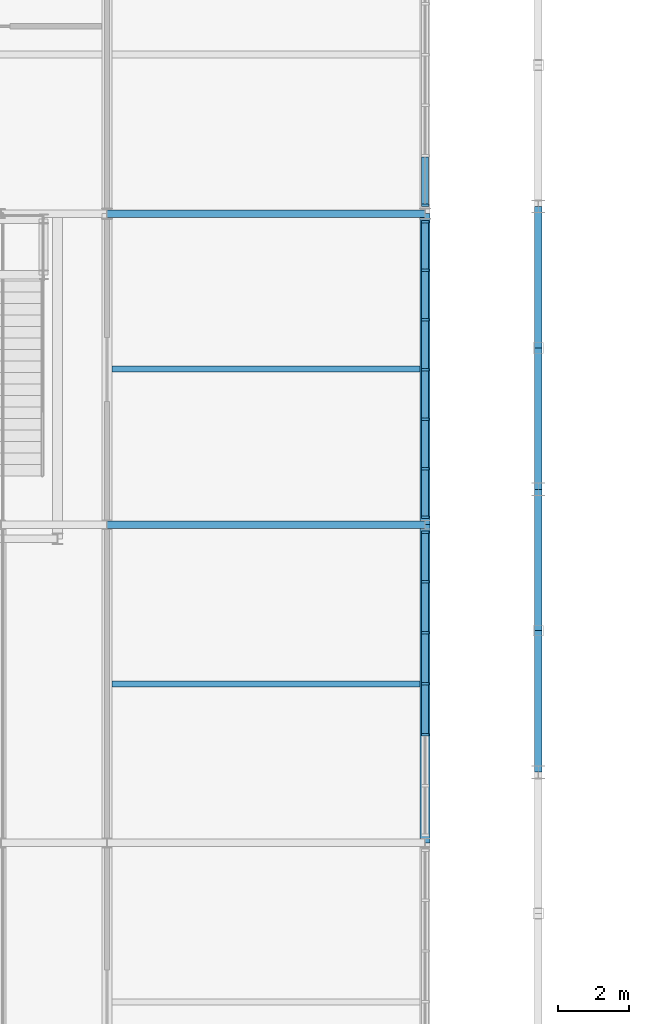
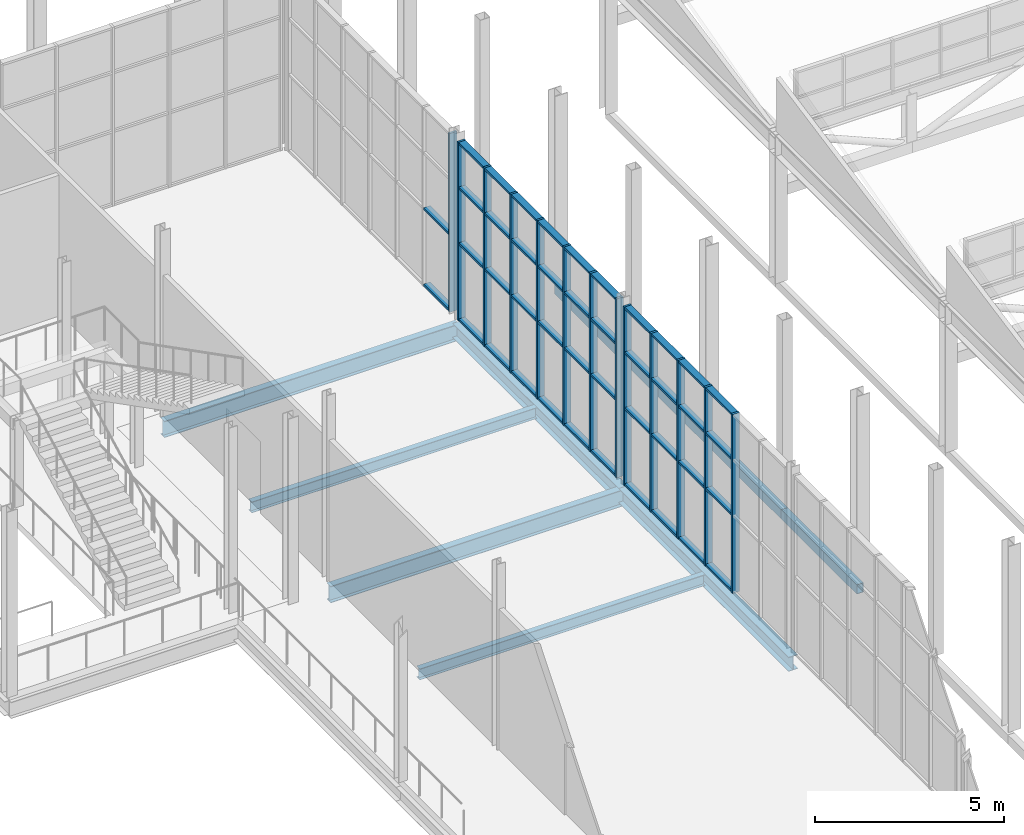
# One storey, part 81 of 159: 55 members, 10 beams, 3 elements without a shape of their own.
"""IFC4 building model written with IfcOpenShell, lengths in metres."""

from ifc_helpers import new_model, si_unit, direction, frame, origin, origin_2d, place, context, subcontext, project, spatial, rectangle, hollow_rectangle, i_section, extrude, material, layer, layer_set, material_profile, profile_set, type_object, element, aggregate, save


model = new_model("IFC4")

# Units and contexts
model_context = context("Model", 3, precision=1e-05, world=origin(), true_north=direction((0.0, 1.0)))
body_context = subcontext(model_context, "Body", "Model", "MODEL_VIEW")
ifc_project = project(units=[si_unit("LENGTHUNIT", "METRE"), si_unit("AREAUNIT", "SQUARE_METRE"), si_unit("VOLUMEUNIT", "CUBIC_METRE"), si_unit("PLANEANGLEUNIT", "RADIAN"), si_unit("MASSUNIT", "GRAM", prefix="KILO")], contexts=[model_context])

# Site, building, storey
site_placement = place(None, origin())
site = spatial("IfcSite", under=ifc_project, at=site_placement, CompositionType="ELEMENT")
building_placement = place(site_placement, origin())
building = spatial("IfcBuilding", under=site, at=building_placement, Name="Cazmaro Siding Exhibition Halls", CompositionType="ELEMENT")
storey_placement = place(building_placement, frame((0.0, 0.0, 6.0)))
storey = spatial("IfcBuildingStorey", under=building, at=storey_placement, Name="L01", CompositionType="ELEMENT", Elevation=6.0)

# Beams
ifc_material_1 = material(Name="Steel ASTM A992 Grade 50", Category="steel")
ifc_material_profile_1 = material_profile(ifc_material_1, i_section(OverallWidth=0.2099609375, OverallDepth=0.535888671875, WebThickness=0.010986328125, FlangeThickness=0.01708984375, at=origin_2d()), Name="W21X68")
ifc_profile_set_1 = profile_set([ifc_material_profile_1], Name="Steel ASTM A992 Grade 50")
beam_type_1 = type_object("IfcBeamType", Name="B-02", PredefinedType="BEAM", material=ifc_profile_set_1)
for number, where, z_axis, x_axis, name in (
    (1, (158.800048828125, 111.800048828125, -0.488037109375), (1.0, 0.0, 0.0), (0.0, 1.0, 0.0), "Beam B-02 BM-0297"),
    (2, (158.800048828125, 103.0, -0.488037109375), (1.0, 0.0, 0.0), (0.0, 1.0, 0.0), "Beam B-02 BM-0385"),
):
    element("IfcBeam", number, at=place(storey_placement, frame(where, z_axis=z_axis, x_axis=x_axis)), inside=storey, type_object=beam_type_1, Name=name, PredefinedType="BEAM", context=body_context, shape_type="SweptSolid", body=[
        extrude(i_section(OverallWidth=0.2099609375, OverallDepth=0.535888671875, WebThickness=0.010986328125, FlangeThickness=0.01708984375, at=origin_2d()), origin(), (0.0, 0.0, 1.0), 9.0),
    ])
ifc_material_2 = material(Name="Steel ASTM A992 Grade 50", Category="steel")
ifc_material_profile_2 = material_profile(ifc_material_2, i_section(OverallWidth=0.279052734375, OverallDepth=0.4619140625, WebThickness=0.010986328125, FlangeThickness=0.01708984375, at=origin_2d()), Name="W18X76")
ifc_profile_set_2 = profile_set([ifc_material_profile_2], Name="Steel ASTM A992 Grade 50")
beam_type_2 = type_object("IfcBeamType", Name="B-03", PredefinedType="BEAM", material=ifc_profile_set_2)
beam_1_placement = place(storey_placement, frame((167.800048828125, 94.0, -0.450927734375), z_axis=(0.0, 1.0, 0.0), x_axis=(-1.0, 0.0, 0.0)))
element("IfcBeam", 3, at=beam_1_placement, inside=storey, type_object=beam_type_2, Name="Beam B-03 BM-0390", PredefinedType="BEAM", context=body_context, shape_type="SweptSolid", body=[
    extrude(i_section(OverallWidth=0.279052734375, OverallDepth=0.4619140625, WebThickness=0.010986328125, FlangeThickness=0.01708984375, at=origin_2d()), origin(), (0.0, 0.0, 1.0), 9.0),
])
beam_2_placement = place(storey_placement, frame((167.800048828125, 103.0, -0.450927734375), z_axis=(0.0, 1.0, 0.0), x_axis=(-1.0, 0.0, 0.0)))
element("IfcBeam", 4, at=beam_2_placement, inside=storey, type_object=beam_type_2, Name="Beam B-03 BM-0392", PredefinedType="BEAM", context=body_context, shape_type="SweptSolid", body=[
    extrude(i_section(OverallWidth=0.279052734375, OverallDepth=0.4619140625, WebThickness=0.010986328125, FlangeThickness=0.01708984375, at=origin_2d()), origin(), (0.0, 0.0, 1.0), 8.800048828125),
])

# Curtain wall, members
ifc_material_3 = material(Name="Anodized Bronze Aluminum and Solar-Control Low-E Glazing", Category="aluminium")
ifc_layer = layer(ifc_material_3, 0.219970703125)
ifc_layer_set = layer_set([ifc_layer], Name="Anodized Bronze Aluminum and Solar-Control Low-E Glazing")
curtain_wall_type = type_object("IfcCurtainWallType", Name="CWS-03", PredefinedType="USERDEFINED", material=ifc_layer_set)
curtain_wall_1_placement = place(storey_placement, origin())
curtain_wall_1 = element("IfcCurtainWall", 5, at=curtain_wall_1_placement, inside=storey, type_object=curtain_wall_type, Name="Glazed Curtain Wall CWS-03 CW-072", ObjectType="GLAZED CURTAIN WALL", PredefinedType="USERDEFINED")
ifc_material_4 = material(Name="Anodized Bronze Extruded Aluminum", Category="aluminium")
ifc_material_profile_3 = material_profile(ifc_material_4, rectangle(XDim=0.219970703125, YDim=0.070068359375, at=origin_2d()), Name="CWM-03")
ifc_profile_set_3 = profile_set([ifc_material_profile_3], Name="Anodized Bronze Extruded Aluminum")
member_type_1 = type_object("IfcMemberType", Name="CWM-03", PredefinedType="MULLION", material=ifc_profile_set_3)
member_1_placement = place(storey_placement, frame((167.800048828125, 97.05908203125, 0.0), z_axis=(0.0, 0.0, 1.0), x_axis=(-1.0, 0.0, 0.0)))
member_1 = element("IfcMember", 6, at=member_1_placement, type_object=member_type_1, Name="CWS-03 mullion 3", PredefinedType="MULLION", context=body_context, shape_type="SweptSolid", body=[
    extrude(rectangle(XDim=0.219970703125, YDim=0.070068359375, at=origin_2d()), origin(), (0.0, 0.0, 1.0), 5.780029296875),
])
member_2_placement = place(storey_placement, frame((167.800048828125, 98.5, 0.0), z_axis=(0.0, 0.0, 1.0), x_axis=(-1.0, 0.0, 0.0)))
member_2 = element("IfcMember", 7, at=member_2_placement, type_object=member_type_1, Name="CWS-03 mullion 4", PredefinedType="MULLION", context=body_context, shape_type="SweptSolid", body=[
    extrude(rectangle(XDim=0.219970703125, YDim=0.070068359375, at=origin_2d()), origin(), (0.0, 0.0, 1.0), 5.780029296875),
])
member_3_placement = place(storey_placement, frame((167.800048828125, 99.94091796875, 0.0), z_axis=(0.0, 0.0, 1.0), x_axis=(-1.0, 0.0, 0.0)))
member_3 = element("IfcMember", 8, at=member_3_placement, type_object=member_type_1, Name="CWS-03 mullion 5", PredefinedType="MULLION", context=body_context, shape_type="SweptSolid", body=[
    extrude(rectangle(XDim=0.219970703125, YDim=0.070068359375, at=origin_2d()), origin(), (0.0, 0.0, 1.0), 5.780029296875),
])
member_4_placement = place(storey_placement, frame((167.800048828125, 101.382080078125, 0.0), z_axis=(0.0, 0.0, 1.0), x_axis=(-1.0, 0.0, 0.0)))
member_4 = element("IfcMember", 9, at=member_4_placement, type_object=member_type_1, Name="CWS-03 mullion 6", PredefinedType="MULLION", context=body_context, shape_type="SweptSolid", body=[
    extrude(rectangle(XDim=0.219970703125, YDim=0.070068359375, at=origin_2d()), origin(), (0.0, 0.0, 1.0), 5.780029296875),
])
member_5_placement = place(storey_placement, frame((167.800048828125, 102.7880859375, 0.0), z_axis=(0.0, 0.0, 1.0), x_axis=(-1.0, 0.0, 0.0)))
member_5 = element("IfcMember", 10, at=member_5_placement, type_object=member_type_1, Name="CWS-03 mullion 7", PredefinedType="MULLION", context=body_context, shape_type="SweptSolid", body=[
    extrude(rectangle(XDim=0.219970703125, YDim=0.070068359375, at=origin_2d()), origin(), (0.0, 0.0, 1.0), 5.780029296875),
])

curtain_wall_2_placement = place(storey_placement, origin())
curtain_wall_2 = element("IfcCurtainWall", 11, at=curtain_wall_2_placement, inside=storey, type_object=curtain_wall_type, Name="Glazed Curtain Wall CWS-03 CW-075", ObjectType="GLAZED CURTAIN WALL", PredefinedType="USERDEFINED")
member_6_placement = place(storey_placement, frame((167.800048828125, 103.2119140625, 0.0), z_axis=(0.0, 0.0, 1.0), x_axis=(-1.0, 0.0, 0.0)))
member_6 = element("IfcMember", 12, at=member_6_placement, type_object=member_type_1, Name="CWS-03 mullion 1", PredefinedType="MULLION", context=body_context, shape_type="SweptSolid", body=[
    extrude(rectangle(XDim=0.219970703125, YDim=0.070068359375, at=origin_2d()), origin(), (0.0, 0.0, 1.0), 5.780029296875),
])
member_7_placement = place(storey_placement, frame((167.800048828125, 104.5810546875, 0.0), z_axis=(0.0, 0.0, 1.0), x_axis=(-1.0, 0.0, 0.0)))
member_7 = element("IfcMember", 13, at=member_7_placement, type_object=member_type_1, Name="CWS-03 mullion 2", PredefinedType="MULLION", context=body_context, shape_type="SweptSolid", body=[
    extrude(rectangle(XDim=0.219970703125, YDim=0.070068359375, at=origin_2d()), origin(), (0.0, 0.0, 1.0), 5.780029296875),
])
member_8_placement = place(storey_placement, frame((167.800048828125, 105.9853515625, 0.0), z_axis=(0.0, 0.0, 1.0), x_axis=(-1.0, 0.0, 0.0)))
member_8 = element("IfcMember", 14, at=member_8_placement, type_object=member_type_1, Name="CWS-03 mullion 3", PredefinedType="MULLION", context=body_context, shape_type="SweptSolid", body=[
    extrude(rectangle(XDim=0.219970703125, YDim=0.070068359375, at=origin_2d()), origin(), (0.0, 0.0, 1.0), 5.780029296875),
])
member_9_placement = place(storey_placement, frame((167.800048828125, 107.389404296875, 0.0), z_axis=(0.0, 0.0, 1.0), x_axis=(-1.0, 0.0, 0.0)))
member_9 = element("IfcMember", 15, at=member_9_placement, type_object=member_type_1, Name="CWS-03 mullion 4", PredefinedType="MULLION", context=body_context, shape_type="SweptSolid", body=[
    extrude(rectangle(XDim=0.219970703125, YDim=0.070068359375, at=origin_2d()), origin(), (0.0, 0.0, 1.0), 5.780029296875),
])
member_10_placement = place(storey_placement, frame((167.800048828125, 108.793701171875, 0.0), z_axis=(0.0, 0.0, 1.0), x_axis=(-1.0, 0.0, 0.0)))
member_10 = element("IfcMember", 16, at=member_10_placement, type_object=member_type_1, Name="CWS-03 mullion 5", PredefinedType="MULLION", context=body_context, shape_type="SweptSolid", body=[
    extrude(rectangle(XDim=0.219970703125, YDim=0.070068359375, at=origin_2d()), origin(), (0.0, 0.0, 1.0), 5.780029296875),
])
member_11_placement = place(storey_placement, frame((167.800048828125, 110.19775390625, 0.0), z_axis=(0.0, 0.0, 1.0), x_axis=(-1.0, 0.0, 0.0)))
member_11 = element("IfcMember", 17, at=member_11_placement, type_object=member_type_1, Name="CWS-03 mullion 6", PredefinedType="MULLION", context=body_context, shape_type="SweptSolid", body=[
    extrude(rectangle(XDim=0.219970703125, YDim=0.070068359375, at=origin_2d()), origin(), (0.0, 0.0, 1.0), 5.780029296875),
])
member_12_placement = place(storey_placement, frame((167.800048828125, 111.56689453125, 0.0), z_axis=(0.0, 0.0, 1.0), x_axis=(-1.0, 0.0, 0.0)))
member_12 = element("IfcMember", 18, at=member_12_placement, type_object=member_type_1, Name="CWS-03 mullion 7", PredefinedType="MULLION", context=body_context, shape_type="SweptSolid", body=[
    extrude(rectangle(XDim=0.219970703125, YDim=0.070068359375, at=origin_2d()), origin(), (0.0, 0.0, 1.0), 5.780029296875),
])

# Curtain wall, member
curtain_wall_3_placement = place(storey_placement, origin())
curtain_wall_3 = element("IfcCurtainWall", 19, at=curtain_wall_3_placement, inside=storey, type_object=curtain_wall_type, Name="Glazed Curtain Wall CWS-03 CW-078", ObjectType="GLAZED CURTAIN WALL", PredefinedType="USERDEFINED")
member_13_placement = place(storey_placement, frame((167.800048828125, 112.032958984375, 0.0), z_axis=(0.0, 0.0, 1.0), x_axis=(-1.0, 0.0, 0.0)))
member_13 = element("IfcMember", 20, at=member_13_placement, type_object=member_type_1, Name="CWS-03 mullion 1", PredefinedType="MULLION", context=body_context, shape_type="SweptSolid", body=[
    extrude(rectangle(XDim=0.219970703125, YDim=0.070068359375, at=origin_2d()), origin(), (0.0, 0.0, 1.0), 5.780029296875),
])

# Member
ifc_material_5 = material(Name="Anodized Bronze Extruded Aluminum", Category="aluminium")
ifc_material_profile_4 = material_profile(ifc_material_5, rectangle(XDim=0.199951171875, YDim=0.070068359375, at=origin_2d()), Name="CWT-03")
ifc_profile_set_4 = profile_set([ifc_material_profile_4], Name="Anodized Bronze Extruded Aluminum")
member_type_2 = type_object("IfcMemberType", Name="CWT-03", PredefinedType="MULLION", material=ifc_profile_set_4)
member_14_placement = place(storey_placement, frame((167.800048828125, 97.093994140625, 0.034912109375), z_axis=(0.0, 1.0, 0.0), x_axis=(-1.0, 0.0, 0.0)))
member_14 = element("IfcMember", 21, at=member_14_placement, type_object=member_type_2, Name="CWS-03 transom 3.1", ObjectType="TRANSOM", PredefinedType="USERDEFINED", context=body_context, shape_type="SweptSolid", body=[
    extrude(rectangle(XDim=0.199951171875, YDim=0.070068359375, at=origin_2d()), origin(), (0.0, 0.0, 1.0), 1.37109375),
])

member_15_placement = place(storey_placement, frame((167.800048828125, 97.093994140625, 2.5), z_axis=(0.0, 1.0, 0.0), x_axis=(-1.0, 0.0, 0.0)))
member_15 = element("IfcMember", 22, at=member_15_placement, type_object=member_type_2, Name="CWS-03 transom 3.2", ObjectType="TRANSOM", PredefinedType="USERDEFINED", context=body_context, shape_type="SweptSolid", body=[
    extrude(rectangle(XDim=0.199951171875, YDim=0.070068359375, at=origin_2d()), origin(), (0.0, 0.0, 1.0), 1.37109375),
])

member_16_placement = place(storey_placement, frame((167.800048828125, 97.093994140625, 4.300048828125), z_axis=(0.0, 1.0, 0.0), x_axis=(-1.0, 0.0, 0.0)))
member_16 = element("IfcMember", 23, at=member_16_placement, type_object=member_type_2, Name="CWS-03 transom 3.3", ObjectType="TRANSOM", PredefinedType="USERDEFINED", context=body_context, shape_type="SweptSolid", body=[
    extrude(rectangle(XDim=0.199951171875, YDim=0.070068359375, at=origin_2d()), origin(), (0.0, 0.0, 1.0), 1.37109375),
])

member_17_placement = place(storey_placement, frame((167.800048828125, 97.093994140625, 5.7451171875), z_axis=(0.0, 1.0, 0.0), x_axis=(-1.0, 0.0, 0.0)))
member_17 = element("IfcMember", 24, at=member_17_placement, type_object=member_type_2, Name="CWS-03 transom 3.4", ObjectType="TRANSOM", PredefinedType="USERDEFINED", context=body_context, shape_type="SweptSolid", body=[
    extrude(rectangle(XDim=0.199951171875, YDim=0.070068359375, at=origin_2d()), origin(), (0.0, 0.0, 1.0), 1.37109375),
])

member_18_placement = place(storey_placement, frame((167.800048828125, 98.534912109375, 0.034912109375), z_axis=(0.0, 1.0, 0.0), x_axis=(-1.0, 0.0, 0.0)))
member_18 = element("IfcMember", 25, at=member_18_placement, type_object=member_type_2, Name="CWS-03 transom 4.1", ObjectType="TRANSOM", PredefinedType="USERDEFINED", context=body_context, shape_type="SweptSolid", body=[
    extrude(rectangle(XDim=0.199951171875, YDim=0.070068359375, at=origin_2d()), origin(), (0.0, 0.0, 1.0), 1.37109375),
])

member_19_placement = place(storey_placement, frame((167.800048828125, 98.534912109375, 2.5), z_axis=(0.0, 1.0, 0.0), x_axis=(-1.0, 0.0, 0.0)))
member_19 = element("IfcMember", 26, at=member_19_placement, type_object=member_type_2, Name="CWS-03 transom 4.2", ObjectType="TRANSOM", PredefinedType="USERDEFINED", context=body_context, shape_type="SweptSolid", body=[
    extrude(rectangle(XDim=0.199951171875, YDim=0.070068359375, at=origin_2d()), origin(), (0.0, 0.0, 1.0), 1.37109375),
])

member_20_placement = place(storey_placement, frame((167.800048828125, 98.534912109375, 4.300048828125), z_axis=(0.0, 1.0, 0.0), x_axis=(-1.0, 0.0, 0.0)))
member_20 = element("IfcMember", 27, at=member_20_placement, type_object=member_type_2, Name="CWS-03 transom 4.3", ObjectType="TRANSOM", PredefinedType="USERDEFINED", context=body_context, shape_type="SweptSolid", body=[
    extrude(rectangle(XDim=0.199951171875, YDim=0.070068359375, at=origin_2d()), origin(), (0.0, 0.0, 1.0), 1.37109375),
])

member_21_placement = place(storey_placement, frame((167.800048828125, 98.534912109375, 5.7451171875), z_axis=(0.0, 1.0, 0.0), x_axis=(-1.0, 0.0, 0.0)))
member_21 = element("IfcMember", 28, at=member_21_placement, type_object=member_type_2, Name="CWS-03 transom 4.4", ObjectType="TRANSOM", PredefinedType="USERDEFINED", context=body_context, shape_type="SweptSolid", body=[
    extrude(rectangle(XDim=0.199951171875, YDim=0.070068359375, at=origin_2d()), origin(), (0.0, 0.0, 1.0), 1.37109375),
])

member_22_placement = place(storey_placement, frame((167.800048828125, 99.97607421875, 0.034912109375), z_axis=(0.0, 1.0, 0.0), x_axis=(-1.0, 0.0, 0.0)))
member_22 = element("IfcMember", 29, at=member_22_placement, type_object=member_type_2, Name="CWS-03 transom 5.1", ObjectType="TRANSOM", PredefinedType="USERDEFINED", context=body_context, shape_type="SweptSolid", body=[
    extrude(rectangle(XDim=0.199951171875, YDim=0.070068359375, at=origin_2d()), origin(), (0.0, 0.0, 1.0), 1.370849609375),
])

member_23_placement = place(storey_placement, frame((167.800048828125, 99.97607421875, 2.5), z_axis=(0.0, 1.0, 0.0), x_axis=(-1.0, 0.0, 0.0)))
member_23 = element("IfcMember", 30, at=member_23_placement, type_object=member_type_2, Name="CWS-03 transom 5.2", ObjectType="TRANSOM", PredefinedType="USERDEFINED", context=body_context, shape_type="SweptSolid", body=[
    extrude(rectangle(XDim=0.199951171875, YDim=0.070068359375, at=origin_2d()), origin(), (0.0, 0.0, 1.0), 1.370849609375),
])

member_24_placement = place(storey_placement, frame((167.800048828125, 99.97607421875, 4.300048828125), z_axis=(0.0, 1.0, 0.0), x_axis=(-1.0, 0.0, 0.0)))
member_24 = element("IfcMember", 31, at=member_24_placement, type_object=member_type_2, Name="CWS-03 transom 5.3", ObjectType="TRANSOM", PredefinedType="USERDEFINED", context=body_context, shape_type="SweptSolid", body=[
    extrude(rectangle(XDim=0.199951171875, YDim=0.070068359375, at=origin_2d()), origin(), (0.0, 0.0, 1.0), 1.370849609375),
])

member_25_placement = place(storey_placement, frame((167.800048828125, 99.97607421875, 5.7451171875), z_axis=(0.0, 1.0, 0.0), x_axis=(-1.0, 0.0, 0.0)))
member_25 = element("IfcMember", 32, at=member_25_placement, type_object=member_type_2, Name="CWS-03 transom 5.4", ObjectType="TRANSOM", PredefinedType="USERDEFINED", context=body_context, shape_type="SweptSolid", body=[
    extrude(rectangle(XDim=0.199951171875, YDim=0.070068359375, at=origin_2d()), origin(), (0.0, 0.0, 1.0), 1.370849609375),
])

member_26_placement = place(storey_placement, frame((167.800048828125, 101.4169921875, 0.034912109375), z_axis=(0.0, 1.0, 0.0), x_axis=(-1.0, 0.0, 0.0)))
member_26 = element("IfcMember", 33, at=member_26_placement, type_object=member_type_2, Name="CWS-03 transom 6.1", ObjectType="TRANSOM", PredefinedType="USERDEFINED", context=body_context, shape_type="SweptSolid", body=[
    extrude(rectangle(XDim=0.199951171875, YDim=0.070068359375, at=origin_2d()), origin(), (0.0, 0.0, 1.0), 1.3359375),
])

member_27_placement = place(storey_placement, frame((167.800048828125, 101.4169921875, 2.5), z_axis=(0.0, 1.0, 0.0), x_axis=(-1.0, 0.0, 0.0)))
member_27 = element("IfcMember", 34, at=member_27_placement, type_object=member_type_2, Name="CWS-03 transom 6.2", ObjectType="TRANSOM", PredefinedType="USERDEFINED", context=body_context, shape_type="SweptSolid", body=[
    extrude(rectangle(XDim=0.199951171875, YDim=0.070068359375, at=origin_2d()), origin(), (0.0, 0.0, 1.0), 1.3359375),
])

member_28_placement = place(storey_placement, frame((167.800048828125, 101.4169921875, 4.300048828125), z_axis=(0.0, 1.0, 0.0), x_axis=(-1.0, 0.0, 0.0)))
member_28 = element("IfcMember", 35, at=member_28_placement, type_object=member_type_2, Name="CWS-03 transom 6.3", ObjectType="TRANSOM", PredefinedType="USERDEFINED", context=body_context, shape_type="SweptSolid", body=[
    extrude(rectangle(XDim=0.199951171875, YDim=0.070068359375, at=origin_2d()), origin(), (0.0, 0.0, 1.0), 1.3359375),
])

member_29_placement = place(storey_placement, frame((167.800048828125, 101.4169921875, 5.7451171875), z_axis=(0.0, 1.0, 0.0), x_axis=(-1.0, 0.0, 0.0)))
member_29 = element("IfcMember", 36, at=member_29_placement, type_object=member_type_2, Name="CWS-03 transom 6.4", ObjectType="TRANSOM", PredefinedType="USERDEFINED", context=body_context, shape_type="SweptSolid", body=[
    extrude(rectangle(XDim=0.199951171875, YDim=0.070068359375, at=origin_2d()), origin(), (0.0, 0.0, 1.0), 1.3359375),
])

aggregate(curtain_wall_1, [member_1, member_2, member_3, member_4, member_5, member_14, member_15, member_16, member_17, member_18, member_19, member_20, member_21, member_22, member_23, member_24, member_25, member_26, member_27, member_28, member_29])

member_30_placement = place(storey_placement, frame((167.800048828125, 103.2470703125, 0.034912109375), z_axis=(0.0, 1.0, 0.0), x_axis=(-1.0, 0.0, 0.0)))
member_30 = element("IfcMember", 37, at=member_30_placement, type_object=member_type_2, Name="CWS-03 transom 1.1", ObjectType="TRANSOM", PredefinedType="USERDEFINED", context=body_context, shape_type="SweptSolid", body=[
    extrude(rectangle(XDim=0.199951171875, YDim=0.070068359375, at=origin_2d()), origin(), (0.0, 0.0, 1.0), 1.299072265625),
])

member_31_placement = place(storey_placement, frame((167.800048828125, 103.2470703125, 2.5), z_axis=(0.0, 1.0, 0.0), x_axis=(-1.0, 0.0, 0.0)))
member_31 = element("IfcMember", 38, at=member_31_placement, type_object=member_type_2, Name="CWS-03 transom 1.2", ObjectType="TRANSOM", PredefinedType="USERDEFINED", context=body_context, shape_type="SweptSolid", body=[
    extrude(rectangle(XDim=0.199951171875, YDim=0.070068359375, at=origin_2d()), origin(), (0.0, 0.0, 1.0), 1.299072265625),
])

member_32_placement = place(storey_placement, frame((167.800048828125, 103.2470703125, 4.300048828125), z_axis=(0.0, 1.0, 0.0), x_axis=(-1.0, 0.0, 0.0)))
member_32 = element("IfcMember", 39, at=member_32_placement, type_object=member_type_2, Name="CWS-03 transom 1.3", ObjectType="TRANSOM", PredefinedType="USERDEFINED", context=body_context, shape_type="SweptSolid", body=[
    extrude(rectangle(XDim=0.199951171875, YDim=0.070068359375, at=origin_2d()), origin(), (0.0, 0.0, 1.0), 1.299072265625),
])

member_33_placement = place(storey_placement, frame((167.800048828125, 103.2470703125, 5.7451171875), z_axis=(0.0, 1.0, 0.0), x_axis=(-1.0, 0.0, 0.0)))
member_33 = element("IfcMember", 40, at=member_33_placement, type_object=member_type_2, Name="CWS-03 transom 1.4", ObjectType="TRANSOM", PredefinedType="USERDEFINED", context=body_context, shape_type="SweptSolid", body=[
    extrude(rectangle(XDim=0.199951171875, YDim=0.070068359375, at=origin_2d()), origin(), (0.0, 0.0, 1.0), 1.299072265625),
])

member_34_placement = place(storey_placement, frame((167.800048828125, 104.6162109375, 0.034912109375), z_axis=(0.0, 1.0, 0.0), x_axis=(-1.0, 0.0, 0.0)))
member_34 = element("IfcMember", 41, at=member_34_placement, type_object=member_type_2, Name="CWS-03 transom 2.1", ObjectType="TRANSOM", PredefinedType="USERDEFINED", context=body_context, shape_type="SweptSolid", body=[
    extrude(rectangle(XDim=0.199951171875, YDim=0.070068359375, at=origin_2d()), origin(), (0.0, 0.0, 1.0), 1.334228515625),
])

member_35_placement = place(storey_placement, frame((167.800048828125, 104.6162109375, 2.5), z_axis=(0.0, 1.0, 0.0), x_axis=(-1.0, 0.0, 0.0)))
member_35 = element("IfcMember", 42, at=member_35_placement, type_object=member_type_2, Name="CWS-03 transom 2.2", ObjectType="TRANSOM", PredefinedType="USERDEFINED", context=body_context, shape_type="SweptSolid", body=[
    extrude(rectangle(XDim=0.199951171875, YDim=0.070068359375, at=origin_2d()), origin(), (0.0, 0.0, 1.0), 1.334228515625),
])

member_36_placement = place(storey_placement, frame((167.800048828125, 104.6162109375, 4.300048828125), z_axis=(0.0, 1.0, 0.0), x_axis=(-1.0, 0.0, 0.0)))
member_36 = element("IfcMember", 43, at=member_36_placement, type_object=member_type_2, Name="CWS-03 transom 2.3", ObjectType="TRANSOM", PredefinedType="USERDEFINED", context=body_context, shape_type="SweptSolid", body=[
    extrude(rectangle(XDim=0.199951171875, YDim=0.070068359375, at=origin_2d()), origin(), (0.0, 0.0, 1.0), 1.334228515625),
])

member_37_placement = place(storey_placement, frame((167.800048828125, 104.6162109375, 5.7451171875), z_axis=(0.0, 1.0, 0.0), x_axis=(-1.0, 0.0, 0.0)))
member_37 = element("IfcMember", 44, at=member_37_placement, type_object=member_type_2, Name="CWS-03 transom 2.4", ObjectType="TRANSOM", PredefinedType="USERDEFINED", context=body_context, shape_type="SweptSolid", body=[
    extrude(rectangle(XDim=0.199951171875, YDim=0.070068359375, at=origin_2d()), origin(), (0.0, 0.0, 1.0), 1.334228515625),
])

member_38_placement = place(storey_placement, frame((167.800048828125, 106.020263671875, 0.034912109375), z_axis=(0.0, 1.0, 0.0), x_axis=(-1.0, 0.0, 0.0)))
member_38 = element("IfcMember", 45, at=member_38_placement, type_object=member_type_2, Name="CWS-03 transom 3.1", ObjectType="TRANSOM", PredefinedType="USERDEFINED", context=body_context, shape_type="SweptSolid", body=[
    extrude(rectangle(XDim=0.199951171875, YDim=0.070068359375, at=origin_2d()), origin(), (0.0, 0.0, 1.0), 1.334228515625),
])

member_39_placement = place(storey_placement, frame((167.800048828125, 106.020263671875, 2.5), z_axis=(0.0, 1.0, 0.0), x_axis=(-1.0, 0.0, 0.0)))
member_39 = element("IfcMember", 46, at=member_39_placement, type_object=member_type_2, Name="CWS-03 transom 3.2", ObjectType="TRANSOM", PredefinedType="USERDEFINED", context=body_context, shape_type="SweptSolid", body=[
    extrude(rectangle(XDim=0.199951171875, YDim=0.070068359375, at=origin_2d()), origin(), (0.0, 0.0, 1.0), 1.334228515625),
])

member_40_placement = place(storey_placement, frame((167.800048828125, 106.020263671875, 4.300048828125), z_axis=(0.0, 1.0, 0.0), x_axis=(-1.0, 0.0, 0.0)))
member_40 = element("IfcMember", 47, at=member_40_placement, type_object=member_type_2, Name="CWS-03 transom 3.3", ObjectType="TRANSOM", PredefinedType="USERDEFINED", context=body_context, shape_type="SweptSolid", body=[
    extrude(rectangle(XDim=0.199951171875, YDim=0.070068359375, at=origin_2d()), origin(), (0.0, 0.0, 1.0), 1.334228515625),
])

member_41_placement = place(storey_placement, frame((167.800048828125, 106.020263671875, 5.7451171875), z_axis=(0.0, 1.0, 0.0), x_axis=(-1.0, 0.0, 0.0)))
member_41 = element("IfcMember", 48, at=member_41_placement, type_object=member_type_2, Name="CWS-03 transom 3.4", ObjectType="TRANSOM", PredefinedType="USERDEFINED", context=body_context, shape_type="SweptSolid", body=[
    extrude(rectangle(XDim=0.199951171875, YDim=0.070068359375, at=origin_2d()), origin(), (0.0, 0.0, 1.0), 1.334228515625),
])

member_42_placement = place(storey_placement, frame((167.800048828125, 107.424560546875, 0.034912109375), z_axis=(0.0, 1.0, 0.0), x_axis=(-1.0, 0.0, 0.0)))
member_42 = element("IfcMember", 49, at=member_42_placement, type_object=member_type_2, Name="CWS-03 transom 4.1", ObjectType="TRANSOM", PredefinedType="USERDEFINED", context=body_context, shape_type="SweptSolid", body=[
    extrude(rectangle(XDim=0.199951171875, YDim=0.070068359375, at=origin_2d()), origin(), (0.0, 0.0, 1.0), 1.333984375),
])

member_43_placement = place(storey_placement, frame((167.800048828125, 107.424560546875, 2.5), z_axis=(0.0, 1.0, 0.0), x_axis=(-1.0, 0.0, 0.0)))
member_43 = element("IfcMember", 50, at=member_43_placement, type_object=member_type_2, Name="CWS-03 transom 4.2", ObjectType="TRANSOM", PredefinedType="USERDEFINED", context=body_context, shape_type="SweptSolid", body=[
    extrude(rectangle(XDim=0.199951171875, YDim=0.070068359375, at=origin_2d()), origin(), (0.0, 0.0, 1.0), 1.333984375),
])

member_44_placement = place(storey_placement, frame((167.800048828125, 107.424560546875, 4.300048828125), z_axis=(0.0, 1.0, 0.0), x_axis=(-1.0, 0.0, 0.0)))
member_44 = element("IfcMember", 51, at=member_44_placement, type_object=member_type_2, Name="CWS-03 transom 4.3", ObjectType="TRANSOM", PredefinedType="USERDEFINED", context=body_context, shape_type="SweptSolid", body=[
    extrude(rectangle(XDim=0.199951171875, YDim=0.070068359375, at=origin_2d()), origin(), (0.0, 0.0, 1.0), 1.333984375),
])

member_45_placement = place(storey_placement, frame((167.800048828125, 107.424560546875, 5.7451171875), z_axis=(0.0, 1.0, 0.0), x_axis=(-1.0, 0.0, 0.0)))
member_45 = element("IfcMember", 52, at=member_45_placement, type_object=member_type_2, Name="CWS-03 transom 4.4", ObjectType="TRANSOM", PredefinedType="USERDEFINED", context=body_context, shape_type="SweptSolid", body=[
    extrude(rectangle(XDim=0.199951171875, YDim=0.070068359375, at=origin_2d()), origin(), (0.0, 0.0, 1.0), 1.333984375),
])

member_46_placement = place(storey_placement, frame((167.800048828125, 108.82861328125, 0.034912109375), z_axis=(0.0, 1.0, 0.0), x_axis=(-1.0, 0.0, 0.0)))
member_46 = element("IfcMember", 53, at=member_46_placement, type_object=member_type_2, Name="CWS-03 transom 5.1", ObjectType="TRANSOM", PredefinedType="USERDEFINED", context=body_context, shape_type="SweptSolid", body=[
    extrude(rectangle(XDim=0.199951171875, YDim=0.070068359375, at=origin_2d()), origin(), (0.0, 0.0, 1.0), 1.334228515625),
])

member_47_placement = place(storey_placement, frame((167.800048828125, 108.82861328125, 2.5), z_axis=(0.0, 1.0, 0.0), x_axis=(-1.0, 0.0, 0.0)))
member_47 = element("IfcMember", 54, at=member_47_placement, type_object=member_type_2, Name="CWS-03 transom 5.2", ObjectType="TRANSOM", PredefinedType="USERDEFINED", context=body_context, shape_type="SweptSolid", body=[
    extrude(rectangle(XDim=0.199951171875, YDim=0.070068359375, at=origin_2d()), origin(), (0.0, 0.0, 1.0), 1.334228515625),
])

member_48_placement = place(storey_placement, frame((167.800048828125, 108.82861328125, 4.300048828125), z_axis=(0.0, 1.0, 0.0), x_axis=(-1.0, 0.0, 0.0)))
member_48 = element("IfcMember", 55, at=member_48_placement, type_object=member_type_2, Name="CWS-03 transom 5.3", ObjectType="TRANSOM", PredefinedType="USERDEFINED", context=body_context, shape_type="SweptSolid", body=[
    extrude(rectangle(XDim=0.199951171875, YDim=0.070068359375, at=origin_2d()), origin(), (0.0, 0.0, 1.0), 1.334228515625),
])

member_49_placement = place(storey_placement, frame((167.800048828125, 108.82861328125, 5.7451171875), z_axis=(0.0, 1.0, 0.0), x_axis=(-1.0, 0.0, 0.0)))
member_49 = element("IfcMember", 56, at=member_49_placement, type_object=member_type_2, Name="CWS-03 transom 5.4", ObjectType="TRANSOM", PredefinedType="USERDEFINED", context=body_context, shape_type="SweptSolid", body=[
    extrude(rectangle(XDim=0.199951171875, YDim=0.070068359375, at=origin_2d()), origin(), (0.0, 0.0, 1.0), 1.334228515625),
])

member_50_placement = place(storey_placement, frame((167.800048828125, 110.23291015625, 0.034912109375), z_axis=(0.0, 1.0, 0.0), x_axis=(-1.0, 0.0, 0.0)))
member_50 = element("IfcMember", 57, at=member_50_placement, type_object=member_type_2, Name="CWS-03 transom 6.1", ObjectType="TRANSOM", PredefinedType="USERDEFINED", context=body_context, shape_type="SweptSolid", body=[
    extrude(rectangle(XDim=0.199951171875, YDim=0.070068359375, at=origin_2d()), origin(), (0.0, 0.0, 1.0), 1.299072265625),
])

member_51_placement = place(storey_placement, frame((167.800048828125, 110.23291015625, 2.5), z_axis=(0.0, 1.0, 0.0), x_axis=(-1.0, 0.0, 0.0)))
member_51 = element("IfcMember", 58, at=member_51_placement, type_object=member_type_2, Name="CWS-03 transom 6.2", ObjectType="TRANSOM", PredefinedType="USERDEFINED", context=body_context, shape_type="SweptSolid", body=[
    extrude(rectangle(XDim=0.199951171875, YDim=0.070068359375, at=origin_2d()), origin(), (0.0, 0.0, 1.0), 1.299072265625),
])

member_52_placement = place(storey_placement, frame((167.800048828125, 110.23291015625, 4.300048828125), z_axis=(0.0, 1.0, 0.0), x_axis=(-1.0, 0.0, 0.0)))
member_52 = element("IfcMember", 59, at=member_52_placement, type_object=member_type_2, Name="CWS-03 transom 6.3", ObjectType="TRANSOM", PredefinedType="USERDEFINED", context=body_context, shape_type="SweptSolid", body=[
    extrude(rectangle(XDim=0.199951171875, YDim=0.070068359375, at=origin_2d()), origin(), (0.0, 0.0, 1.0), 1.299072265625),
])

member_53_placement = place(storey_placement, frame((167.800048828125, 110.23291015625, 5.7451171875), z_axis=(0.0, 1.0, 0.0), x_axis=(-1.0, 0.0, 0.0)))
member_53 = element("IfcMember", 60, at=member_53_placement, type_object=member_type_2, Name="CWS-03 transom 6.4", ObjectType="TRANSOM", PredefinedType="USERDEFINED", context=body_context, shape_type="SweptSolid", body=[
    extrude(rectangle(XDim=0.199951171875, YDim=0.070068359375, at=origin_2d()), origin(), (0.0, 0.0, 1.0), 1.299072265625),
])

aggregate(curtain_wall_2, [member_6, member_7, member_8, member_9, member_10, member_11, member_12, member_30, member_31, member_32, member_33, member_34, member_35, member_36, member_37, member_38, member_39, member_40, member_41, member_42, member_43, member_44, member_45, member_46, member_47, member_48, member_49, member_50, member_51, member_52, member_53])

member_54_placement = place(storey_placement, frame((167.800048828125, 112.068115234375, 0.034912109375), z_axis=(0.0, 1.0, 0.0), x_axis=(-1.0, 0.0, 0.0)))
member_54 = element("IfcMember", 61, at=member_54_placement, type_object=member_type_2, Name="CWS-03 transom 1.1", ObjectType="TRANSOM", PredefinedType="USERDEFINED", context=body_context, shape_type="SweptSolid", body=[
    extrude(rectangle(XDim=0.199951171875, YDim=0.070068359375, at=origin_2d()), origin(), (0.0, 0.0, 1.0), 1.328857421875),
])

member_55_placement = place(storey_placement, frame((167.800048828125, 112.068115234375, 2.5), z_axis=(0.0, 1.0, 0.0), x_axis=(-1.0, 0.0, 0.0)))
member_55 = element("IfcMember", 62, at=member_55_placement, type_object=member_type_2, Name="CWS-03 transom 1.2", ObjectType="TRANSOM", PredefinedType="USERDEFINED", context=body_context, shape_type="SweptSolid", body=[
    extrude(rectangle(XDim=0.199951171875, YDim=0.070068359375, at=origin_2d()), origin(), (0.0, 0.0, 1.0), 1.328857421875),
])

aggregate(curtain_wall_3, [member_13, member_54, member_55])

# Beams
ifc_material_6 = material(Name="Steel ASTM A992 Grade 50", Category="steel")
ifc_material_profile_5 = material_profile(ifc_material_6, i_section(OverallWidth=0.1708984375, OverallDepth=0.35595703125, WebThickness=0.007080078125, FlangeThickness=0.011962890625, at=origin_2d()), Name="W14X34")
ifc_profile_set_5 = profile_set([ifc_material_profile_5], Name="Steel ASTM A992 Grade 50")
beam_type_3 = type_object("IfcBeamType", Name="J-04", PredefinedType="JOIST", material=ifc_profile_set_5)
for number, where, z_axis, x_axis, name in (
    (63, (158.93994140625, 98.5, -0.39794921875), (1.0, 0.0, 0.0), (0.0, 1.0, 0.0), "Beam J-04 BM-0391"),
    (64, (158.93994140625, 107.39990234375, -0.39794921875), (1.0, 0.0, 0.0), (0.0, 1.0, 0.0), "Beam J-04 BM-0393"),
):
    element("IfcBeam", number, at=place(storey_placement, frame(where, z_axis=z_axis, x_axis=x_axis)), inside=storey, type_object=beam_type_3, Name=name, PredefinedType="JOIST", context=body_context, shape_type="SweptSolid", body=[
        extrude(i_section(OverallWidth=0.1708984375, OverallDepth=0.35595703125, WebThickness=0.007080078125, FlangeThickness=0.011962890625, at=origin_2d()), origin(), (0.0, 0.0, 1.0), 8.719970703125),
    ])
ifc_material_7 = material(Name="Steel ASTM A500 Grade C", Category="steel")
ifc_material_profile_6 = material_profile(ifc_material_7, hollow_rectangle(XDim=0.202880859375, YDim=0.304931640625, WallThickness=0.011962890625, at=origin_2d()), Name="HSS12X8X1/2")
ifc_profile_set_6 = profile_set([ifc_material_profile_6], Name="Steel ASTM A500 Grade C")
beam_type_4 = type_object("IfcBeamType", Name="SP-01", PredefinedType="SPANDREL", material=ifc_profile_set_6)
for number, where, z_axis, x_axis, name in (
    (65, (171.0, 96.0, -0.3720703125), (0.0, 1.0, 0.0), (-1.0, 0.0, 0.0), "Beam SP-01 BM-0047"),
    (66, (171.0, 100.0, -0.3720703125), (0.0, 1.0, 0.0), (-1.0, 0.0, 0.0), "Beam SP-01 BM-0049"),
    (67, (171.0, 104.0, -0.3720703125), (0.0, 1.0, 0.0), (-1.0, 0.0, 0.0), "Beam SP-01 BM-0051"),
    (68, (171.0, 108.0, -0.3720703125), (0.0, 1.0, 0.0), (-1.0, 0.0, 0.0), "Beam SP-01 BM-0053"),
):
    element("IfcBeam", number, at=place(storey_placement, frame(where, z_axis=z_axis, x_axis=x_axis)), inside=storey, type_object=beam_type_4, Name=name, PredefinedType="SPANDREL", context=body_context, shape_type="SweptSolid", body=[
        extrude(hollow_rectangle(XDim=0.202880859375, YDim=0.304931640625, WallThickness=0.011962890625, at=origin_2d()), origin(), (0.0, 0.0, 1.0), 4.0),
    ])

save(model, "model.ifc")
